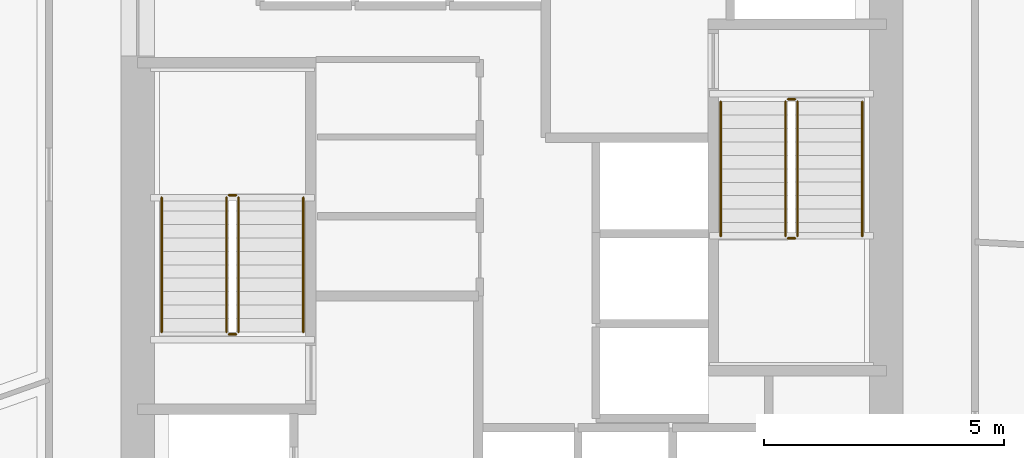
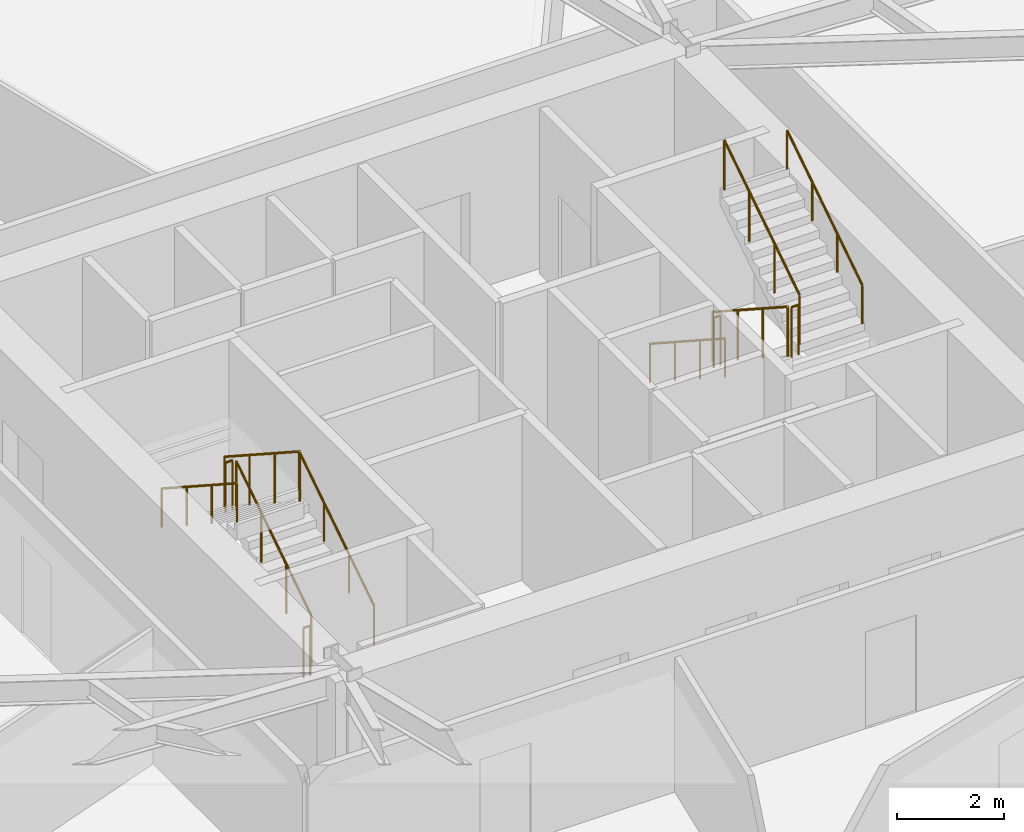
# One storey, part 9 of 10: 12 railings.
"""IFC4 building model written with IfcOpenShell, lengths in metres."""

from ifc_helpers import new_model, si_unit, direction, frame, origin, origin_2d, place, context, subcontext, project, spatial, circle, extrude, material, type_object, element, save


model = new_model("IFC4")

# Units and contexts
model_context = context("Model", 3, precision=1e-05, world=origin(), true_north=direction((0.0, 1.0)))
body_context = subcontext(model_context, "Body", "Model", "MODEL_VIEW")
ifc_project = project(units=[si_unit("LENGTHUNIT", "METRE"), si_unit("AREAUNIT", "SQUARE_METRE"), si_unit("VOLUMEUNIT", "CUBIC_METRE"), si_unit("PLANEANGLEUNIT", "RADIAN"), si_unit("MASSUNIT", "GRAM", prefix="KILO")], contexts=[model_context])

# Site, building, storey
site_placement = place(None, origin())
site = spatial("IfcSite", under=ifc_project, at=site_placement, CompositionType="ELEMENT")
building_placement = place(site_placement, origin())
building = spatial("IfcBuilding", under=site, at=building_placement, Name="Kranzbogen Civic Tower", CompositionType="ELEMENT")
storey_placement = place(building_placement, frame((0.0, 0.0, 76.0)))
storey = spatial("IfcBuildingStorey", under=building, at=storey_placement, Name="L18", CompositionType="ELEMENT", Elevation=76.0)

# Railings
ifc_material_1 = material(Name="Steel S355", Category="steel")
railing_type_1 = type_object("IfcRailingType", Name="Internal Stair and Void Steel Guardrail 1150", PredefinedType="GUARDRAIL", material=ifc_material_1)
railing_1_placement = place(storey_placement, frame((19.300048828125, 22.60009765625, 0.181884765625)))
element("IfcRailing", 1, at=railing_1_placement, inside=storey, type_object=railing_type_1, Name="L18 ST-T1 stair guard 1", PredefinedType="GUARDRAIL", context=body_context, shape_type="SweptSolid", body=[
    extrude(circle(Radius=0.02392578125, at=origin_2d()), frame((0.0, 0.0, 1.1259765625), z_axis=(0.0, 0.83868413941, 0.544618136222), x_axis=(-1.0, 0.0, 0.0)), (0.0, 0.0, 1.0), 3.33837890625),
    extrude(circle(Radius=0.02099609375, at=origin_2d()), origin(), (0.0, 0.0, 1.0), 1.101806640625),
    extrude(circle(Radius=0.02099609375, at=origin_2d()), frame((0.0, 0.933349609375, 0.60595703125)), (0.0, 0.0, 1.0), 1.101806640625),
    extrude(circle(Radius=0.02099609375, at=origin_2d()), frame((0.0, 1.866455078125, 1.212158203125)), (0.0, 0.0, 1.0), 1.101806640625),
    extrude(circle(Radius=0.02099609375, at=origin_2d()), frame((0.0, 2.7998046875, 1.818115234375)), (0.0, 0.0, 1.0), 1.101806640625),
])
railing_2_placement = place(storey_placement, frame((19.25, 25.449951171875, 2.0)))
element("IfcRailing", 2, at=railing_2_placement, inside=storey, type_object=railing_type_1, Name="L18 ST-T1 stair guard 2", PredefinedType="GUARDRAIL", context=body_context, shape_type="SweptSolid", body=[
    extrude(circle(Radius=0.02392578125, at=origin_2d()), frame((0.0, 0.0, 1.1259765625), z_axis=(-1.0, 0.0, 0.0), x_axis=(0.0, -1.0, 0.0)), (0.0, 0.0, 1.0), 0.14990234375),
    extrude(circle(Radius=0.02099609375, at=origin_2d()), origin(), (0.0, 0.0, 1.0), 1.101806640625),
    extrude(circle(Radius=0.02099609375, at=origin_2d()), frame((-0.14990234375, 0.0, 0.0)), (0.0, 0.0, 1.0), 1.101806640625),
])
railing_3_placement = place(storey_placement, frame((19.050048828125, 25.39990234375, 2.181884765625)))
element("IfcRailing", 3, at=railing_3_placement, inside=storey, type_object=railing_type_1, Name="L18 ST-T1 stair guard 3", PredefinedType="GUARDRAIL", context=body_context, shape_type="SweptSolid", body=[
    extrude(circle(Radius=0.02392578125, at=origin_2d()), frame((0.0, 0.0, 1.1259765625), z_axis=(0.0, -0.83868413941, 0.544618136222), x_axis=(1.0, 0.0, 0.0)), (0.0, 0.0, 1.0), 3.33837890625),
    extrude(circle(Radius=0.02099609375, at=origin_2d()), origin(), (0.0, 0.0, 1.0), 1.101806640625),
    extrude(circle(Radius=0.02099609375, at=origin_2d()), frame((0.0, -0.933349609375, 0.60595703125)), (0.0, 0.0, 1.0), 1.101806640625),
    extrude(circle(Radius=0.02099609375, at=origin_2d()), frame((0.0, -1.866455078125, 1.212158203125)), (0.0, 0.0, 1.0), 1.101806640625),
    extrude(circle(Radius=0.02099609375, at=origin_2d()), frame((0.0, -2.7998046875, 1.818115234375)), (0.0, 0.0, 1.0), 1.101806640625),
])
railing_4_placement = place(storey_placement, frame((19.25, 22.550048828125, 0.0)))
element("IfcRailing", 4, at=railing_4_placement, inside=storey, type_object=railing_type_1, Name="L18 ST-T1 stair guard 4", PredefinedType="GUARDRAIL", context=body_context, shape_type="SweptSolid", body=[
    extrude(circle(Radius=0.02392578125, at=origin_2d()), frame((0.0, 0.0, 1.1259765625), z_axis=(-1.0, 0.0, 0.0), x_axis=(0.0, -1.0, 0.0)), (0.0, 0.0, 1.0), 0.14990234375),
    extrude(circle(Radius=0.02099609375, at=origin_2d()), origin(), (0.0, 0.0, 1.0), 1.101806640625),
    extrude(circle(Radius=0.02099609375, at=origin_2d()), frame((-0.14990234375, 0.0, 0.0)), (0.0, 0.0, 1.0), 1.101806640625),
])
railing_5_placement = place(storey_placement, frame((30.699951171875, 27.39990234375, 0.181884765625)))
element("IfcRailing", 5, at=railing_5_placement, inside=storey, type_object=railing_type_1, Name="L18 ST-T2 stair guard 1", PredefinedType="GUARDRAIL", context=body_context, shape_type="SweptSolid", body=[
    extrude(circle(Radius=0.02392578125, at=origin_2d()), frame((0.0, 0.0, 1.1259765625), z_axis=(0.0, -0.83868413941, 0.544618136222), x_axis=(1.0, 0.0, 0.0)), (0.0, 0.0, 1.0), 3.33837890625),
    extrude(circle(Radius=0.02099609375, at=origin_2d()), origin(), (0.0, 0.0, 1.0), 1.101806640625),
    extrude(circle(Radius=0.02099609375, at=origin_2d()), frame((0.0, -0.933349609375, 0.60595703125)), (0.0, 0.0, 1.0), 1.101806640625),
    extrude(circle(Radius=0.02099609375, at=origin_2d()), frame((0.0, -1.866455078125, 1.212158203125)), (0.0, 0.0, 1.0), 1.101806640625),
    extrude(circle(Radius=0.02099609375, at=origin_2d()), frame((0.0, -2.7998046875, 1.818115234375)), (0.0, 0.0, 1.0), 1.101806640625),
])
railing_6_placement = place(storey_placement, frame((30.75, 24.550048828125, 2.0)))
element("IfcRailing", 6, at=railing_6_placement, inside=storey, type_object=railing_type_1, Name="L18 ST-T2 stair guard 2", PredefinedType="GUARDRAIL", context=body_context, shape_type="SweptSolid", body=[
    extrude(circle(Radius=0.02392578125, at=origin_2d()), frame((0.0, 0.0, 1.1259765625), z_axis=(1.0, 0.0, 0.0), x_axis=(0.0, 1.0, 0.0)), (0.0, 0.0, 1.0), 0.14990234375),
    extrude(circle(Radius=0.02099609375, at=origin_2d()), origin(), (0.0, 0.0, 1.0), 1.101806640625),
    extrude(circle(Radius=0.02099609375, at=origin_2d()), frame((0.14990234375, 0.0, 0.0)), (0.0, 0.0, 1.0), 1.101806640625),
])
railing_7_placement = place(storey_placement, frame((30.949951171875, 24.60009765625, 2.181884765625)))
element("IfcRailing", 7, at=railing_7_placement, inside=storey, type_object=railing_type_1, Name="L18 ST-T2 stair guard 3", PredefinedType="GUARDRAIL", context=body_context, shape_type="SweptSolid", body=[
    extrude(circle(Radius=0.02392578125, at=origin_2d()), frame((0.0, 0.0, 1.1259765625), z_axis=(0.0, 0.83868413941, 0.544618136222), x_axis=(-1.0, 0.0, 0.0)), (0.0, 0.0, 1.0), 3.33837890625),
    extrude(circle(Radius=0.02099609375, at=origin_2d()), origin(), (0.0, 0.0, 1.0), 1.101806640625),
    extrude(circle(Radius=0.02099609375, at=origin_2d()), frame((0.0, 0.933349609375, 0.60595703125)), (0.0, 0.0, 1.0), 1.101806640625),
    extrude(circle(Radius=0.02099609375, at=origin_2d()), frame((0.0, 1.866455078125, 1.212158203125)), (0.0, 0.0, 1.0), 1.101806640625),
    extrude(circle(Radius=0.02099609375, at=origin_2d()), frame((0.0, 2.7998046875, 1.818115234375)), (0.0, 0.0, 1.0), 1.101806640625),
])
railing_8_placement = place(storey_placement, frame((30.75, 27.449951171875, 0.0)))
element("IfcRailing", 8, at=railing_8_placement, inside=storey, type_object=railing_type_1, Name="L18 ST-T2 stair guard 4", PredefinedType="GUARDRAIL", context=body_context, shape_type="SweptSolid", body=[
    extrude(circle(Radius=0.02392578125, at=origin_2d()), frame((0.0, 0.0, 1.1259765625), z_axis=(1.0, 0.0, 0.0), x_axis=(0.0, 1.0, 0.0)), (0.0, 0.0, 1.0), 0.14990234375),
    extrude(circle(Radius=0.02099609375, at=origin_2d()), origin(), (0.0, 0.0, 1.0), 1.101806640625),
    extrude(circle(Radius=0.02099609375, at=origin_2d()), frame((0.14990234375, 0.0, 0.0)), (0.0, 0.0, 1.0), 1.101806640625),
])
ifc_material_2 = material(Name="Pale Anodised Aluminium", Category="aluminium")
railing_type_2 = type_object("IfcRailingType", Name="Tubular Stainless Stair Wall Handrail 900", PredefinedType="HANDRAIL", material=ifc_material_2)
railing_9_placement = place(storey_placement, frame((20.64990234375, 22.60009765625, 0.181884765625)))
element("IfcRailing", 9, at=railing_9_placement, inside=storey, type_object=railing_type_2, Name="L18 ST-T1 stair handrail 1", PredefinedType="HANDRAIL", context=body_context, shape_type="SweptSolid", body=[
    extrude(circle(Radius=0.02392578125, at=origin_2d()), frame((0.0, 0.0, 0.8759765625), z_axis=(0.0, 0.83868413941, 0.544618136222), x_axis=(-1.0, 0.0, 0.0)), (0.0, 0.0, 1.0), 3.33837890625),
    extrude(circle(Radius=0.02099609375, at=origin_2d()), origin(), (0.0, 0.0, 1.0), 0.851806640625),
    extrude(circle(Radius=0.02099609375, at=origin_2d()), frame((0.0, 0.933349609375, 0.60595703125)), (0.0, 0.0, 1.0), 0.851806640625),
    extrude(circle(Radius=0.02099609375, at=origin_2d()), frame((0.0, 1.866455078125, 1.212158203125)), (0.0, 0.0, 1.0), 0.851806640625),
    extrude(circle(Radius=0.02099609375, at=origin_2d()), frame((0.0, 2.7998046875, 1.818115234375)), (0.0, 0.0, 1.0), 0.851806640625),
])
for number, where, name in (
    (10, (17.699951171875, 25.39990234375, 2.181884765625), "L18 ST-T1 stair handrail 2"),
    (11, (29.35009765625, 27.39990234375, 0.181884765625), "L18 ST-T2 stair handrail 1"),
):
    element("IfcRailing", number, at=place(storey_placement, frame(where)), inside=storey, type_object=railing_type_2, Name=name, PredefinedType="HANDRAIL", context=body_context, shape_type="SweptSolid", body=[
        extrude(circle(Radius=0.02392578125, at=origin_2d()), frame((0.0, 0.0, 0.8759765625), z_axis=(0.0, -0.83868413941, 0.544618136222), x_axis=(1.0, 0.0, 0.0)), (0.0, 0.0, 1.0), 3.33837890625),
        extrude(circle(Radius=0.02099609375, at=origin_2d()), origin(), (0.0, 0.0, 1.0), 0.851806640625),
        extrude(circle(Radius=0.02099609375, at=origin_2d()), frame((0.0, -0.933349609375, 0.60595703125)), (0.0, 0.0, 1.0), 0.851806640625),
        extrude(circle(Radius=0.02099609375, at=origin_2d()), frame((0.0, -1.866455078125, 1.212158203125)), (0.0, 0.0, 1.0), 0.851806640625),
        extrude(circle(Radius=0.02099609375, at=origin_2d()), frame((0.0, -2.7998046875, 1.818115234375)), (0.0, 0.0, 1.0), 0.851806640625),
    ])
railing_10_placement = place(storey_placement, frame((32.300048828125, 24.60009765625, 2.181884765625)))
element("IfcRailing", 12, at=railing_10_placement, inside=storey, type_object=railing_type_2, Name="L18 ST-T2 stair handrail 2", PredefinedType="HANDRAIL", context=body_context, shape_type="SweptSolid", body=[
    extrude(circle(Radius=0.02392578125, at=origin_2d()), frame((0.0, 0.0, 0.8759765625), z_axis=(0.0, 0.83868413941, 0.544618136222), x_axis=(-1.0, 0.0, 0.0)), (0.0, 0.0, 1.0), 3.33837890625),
    extrude(circle(Radius=0.02099609375, at=origin_2d()), origin(), (0.0, 0.0, 1.0), 0.851806640625),
    extrude(circle(Radius=0.02099609375, at=origin_2d()), frame((0.0, 0.933349609375, 0.60595703125)), (0.0, 0.0, 1.0), 0.851806640625),
    extrude(circle(Radius=0.02099609375, at=origin_2d()), frame((0.0, 1.866455078125, 1.212158203125)), (0.0, 0.0, 1.0), 0.851806640625),
    extrude(circle(Radius=0.02099609375, at=origin_2d()), frame((0.0, 2.7998046875, 1.818115234375)), (0.0, 0.0, 1.0), 0.851806640625),
])

save(model, "model.ifc")
